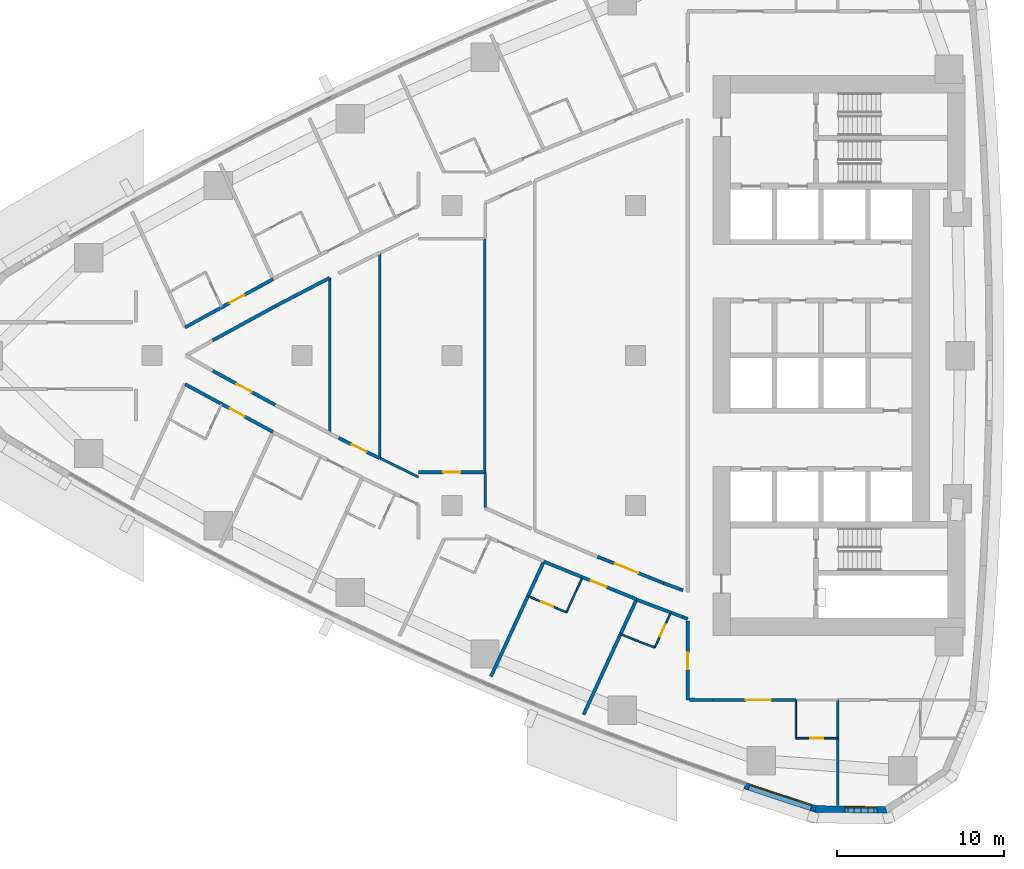
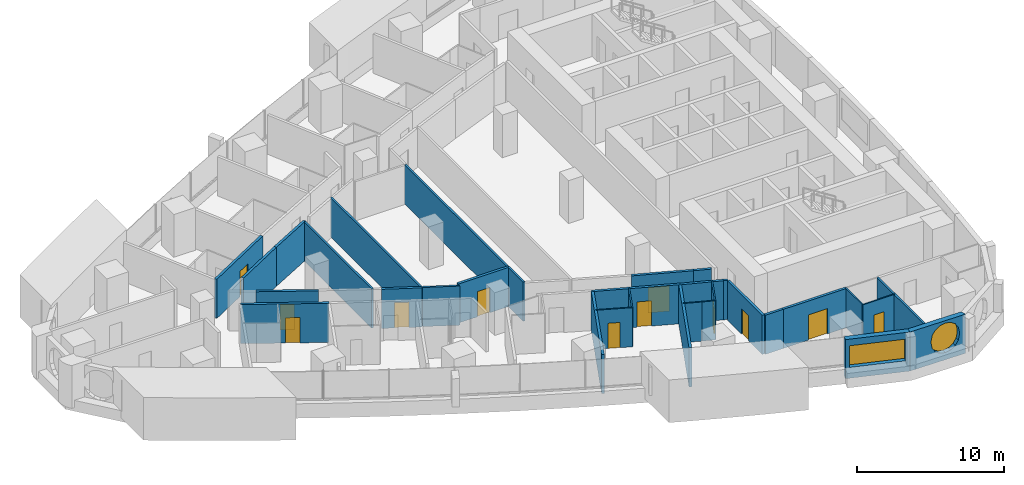
# One storey, part 9 of 17: 32 walls, 12 doors, 2 windows, 14 openings.
"""IFC4 building model written with IfcOpenShell, lengths in metres."""

from ifc_helpers import new_model, si_unit, direction, frame, frame_2d, origin, place, context, subcontext, project, spatial, polyline, rectangle, outline, extrude, material, layer, layer_set, type_object, element, fill, save


model = new_model("IFC4")

# Units and contexts
model_context = context("Model", 3, precision=1e-05, world=origin(), true_north=direction((0.0, 1.0)))
body_context = subcontext(model_context, "Body", "Model", "MODEL_VIEW")
ifc_project = project(units=[si_unit("LENGTHUNIT", "METRE"), si_unit("AREAUNIT", "SQUARE_METRE"), si_unit("VOLUMEUNIT", "CUBIC_METRE"), si_unit("PLANEANGLEUNIT", "RADIAN"), si_unit("MASSUNIT", "GRAM", prefix="KILO")], contexts=[model_context])

# Site, building, storey
site_placement = place(None, origin())
site = spatial("IfcSite", under=ifc_project, at=site_placement, CompositionType="ELEMENT")
building_placement = place(site_placement, origin())
building = spatial("IfcBuilding", under=site, at=building_placement, Name="Ostrand Prow Hotel Tower", CompositionType="ELEMENT")
storey_placement = place(building_placement, frame((0.0, 0.0, 109.75)))
storey = spatial("IfcBuildingStorey", under=building, at=storey_placement, Name="L26", CompositionType="ELEMENT", Elevation=109.75)

# Wall
ifc_material_1 = material(Name="Plasterboard partition")
ifc_layer_1 = layer(ifc_material_1, 0.10009765625)
ifc_layer_set_1 = layer_set([ifc_layer_1], Name="Plasterboard partition")
wall_type_1 = type_object("IfcWallType", Name="Partition 100 bathroom wall", PredefinedType="PARTITIONING", material=ifc_layer_set_1)
wall_1_placement = place(storey_placement, frame((54.630615234375, -22.949951171875, 0.0), z_axis=(0.0, 0.0, 1.0), x_axis=(0.0, 1.0, 0.0)))
element("IfcWall", 1, at=wall_1_placement, inside=storey, type_object=wall_type_1, Name="BATHROOM WALL", PredefinedType="PARTITIONING", context=body_context, shape_type="SweptSolid", body=[
    extrude(rectangle(XDim=2.300048828125, YDim=0.10009765625, at=frame_2d((1.14990234375, 0.0))), origin(), (0.0, 0.0, 1.0), 3.25),
])

# Wall, opening, door
wall_2_placement = place(storey_placement, frame((57.130615234375, -22.949951171875, 0.0), z_axis=(0.0, 0.0, 1.0), x_axis=(-1.0, 0.0, 0.0)))
wall_2 = element("IfcWall", 2, at=wall_2_placement, inside=storey, type_object=wall_type_1, Name="BATHROOM WALL", PredefinedType="PARTITIONING", context=body_context, shape_type="SweptSolid", body=[
    extrude(rectangle(XDim=2.5, YDim=0.10009765625, at=frame_2d((1.25, 0.0))), origin(), (0.0, 0.0, 1.0), 3.25),
])
opening_1_placement = place(wall_2_placement, frame((0.85009765625, 0.0, 0.0)))
opening_1 = element("IfcOpeningElement", 3, at=opening_1_placement, cuts=wall_2, Name="Opening D2", PredefinedType="OPENING", context=body_context, shape_type="SweptSolid", body=[
    extrude(rectangle(XDim=0.800048828125, YDim=2.10009765625, at=frame_2d((0.39990234375, 1.050048828125))), frame((0.0, 0.06005859375, 0.0), z_axis=(0.0, -1.0, 0.0), x_axis=(1.0, 0.0, 0.0)), (0.0, 0.0, 1.0), 0.1201171875),
])
ifc_material_2 = material(Name="Timber door leaf", Category="wood")
door_type_1 = type_object("IfcDoorType", Name="Bathroom door 800", OperationType="SINGLE_SWING_LEFT", PredefinedType="DOOR", material=ifc_material_2)
door_1_placement = place(opening_1_placement, origin())
door_1 = element("IfcDoor", 4, at=door_1_placement, inside=storey, type_object=door_type_1, Name="DOOR", OperationType="SINGLE_SWING_LEFT", OverallHeight=2.10009765625, OverallWidth=0.800048828125, PredefinedType="DOOR", context=body_context, shape_type="SweptSolid", body=[
    extrude(rectangle(XDim=0.800048828125, YDim=2.10009765625, at=frame_2d((0.39990234375, 1.050048828125))), frame((0.0, 0.02490234375, 0.0), z_axis=(0.0, -1.0, 0.0), x_axis=(1.0, 0.0, 0.0)), (0.0, 0.0, 1.0), 0.050048828125),
])
fill(opening_1, door_1)

# Wall
wall_3_placement = place(storey_placement, frame((41.816162109375, -13.32958984375, 0.0), z_axis=(0.0, 0.0, 1.0), x_axis=(-0.417433204355, -0.908707609686, 0.0)))
element("IfcWall", 5, at=wall_3_placement, inside=storey, type_object=wall_type_1, Name="BATHROOM WALL", PredefinedType="PARTITIONING", context=body_context, shape_type="SweptSolid", body=[
    extrude(rectangle(XDim=2.278076171875, YDim=0.10009765625, at=frame_2d((1.13916015625, 0.0))), origin(), (0.0, 0.0, 1.0), 3.25),
])

# Wall, opening, door
wall_4_placement = place(storey_placement, frame((40.865234375, -15.399658203125, 0.0), z_axis=(0.0, 0.0, 1.0), x_axis=(-0.921042675983, 0.38946166566, 0.0)))
wall_4 = element("IfcWall", 6, at=wall_4_placement, inside=storey, type_object=wall_type_1, Name="BATHROOM WALL", PredefinedType="PARTITIONING", context=body_context, shape_type="SweptSolid", body=[
    extrude(rectangle(XDim=2.501220703125, YDim=0.10009765625, at=frame_2d((1.25048828125, 0.0))), origin(), (0.0, 0.0, 1.0), 3.25),
])
opening_2_placement = place(wall_4_placement, frame((0.85009765625, 0.0, 0.0)))
opening_2 = element("IfcOpeningElement", 7, at=opening_2_placement, cuts=wall_4, Name="Opening D2", PredefinedType="OPENING", context=body_context, shape_type="SweptSolid", body=[
    extrude(rectangle(XDim=0.800048828125, YDim=2.10009765625, at=frame_2d((0.39990234375, 1.050048828125))), frame((0.0, 0.06005859375, 0.0), z_axis=(0.0, -1.0, 0.0), x_axis=(1.0, 0.0, 0.0)), (0.0, 0.0, 1.0), 0.1201171875),
])
door_2_placement = place(opening_2_placement, origin())
door_2 = element("IfcDoor", 8, at=door_2_placement, inside=storey, type_object=door_type_1, Name="DOOR", OperationType="SINGLE_SWING_LEFT", OverallHeight=2.10009765625, OverallWidth=0.800048828125, PredefinedType="DOOR", context=body_context, shape_type="SweptSolid", body=[
    extrude(rectangle(XDim=0.800048828125, YDim=2.10009765625, at=frame_2d((0.39990234375, 1.050048828125))), frame((0.0, 0.02490234375, 0.0), z_axis=(0.0, -1.0, 0.0), x_axis=(1.0, 0.0, 0.0)), (0.0, 0.0, 1.0), 0.050048828125),
])
fill(opening_2, door_2)

wall_5_placement = place(storey_placement, frame((47.1220703125, -15.434326171875, 0.0), z_axis=(0.0, 0.0, 1.0), x_axis=(-0.417409478396, -0.90871850831, 0.0)))
wall_5 = element("IfcWall", 9, at=wall_5_placement, inside=storey, type_object=wall_type_1, Name="BATHROOM WALL", PredefinedType="PARTITIONING", context=body_context, shape_type="SweptSolid", body=[
    extrude(rectangle(XDim=2.282958984375, YDim=0.10009765625, at=frame_2d((1.1416015625, 0.0))), origin(), (0.0, 0.0, 1.0), 3.25),
])
opening_3_placement = place(wall_5_placement, frame((0.75, 0.0, 0.0)))
opening_3 = element("IfcOpeningElement", 10, at=opening_3_placement, cuts=wall_5, Name="Opening D2", PredefinedType="OPENING", context=body_context, shape_type="SweptSolid", body=[
    extrude(rectangle(XDim=0.800048828125, YDim=2.10009765625, at=frame_2d((0.39990234375, 1.050048828125))), frame((0.0, 0.06005859375, 0.0), z_axis=(0.0, -1.0, 0.0), x_axis=(1.0, 0.0, 0.0)), (0.0, 0.0, 1.0), 0.1201171875),
])
door_3_placement = place(opening_3_placement, origin())
door_3 = element("IfcDoor", 11, at=door_3_placement, inside=storey, type_object=door_type_1, Name="DOOR", OperationType="SINGLE_SWING_LEFT", OverallHeight=2.10009765625, OverallWidth=0.800048828125, PredefinedType="DOOR", context=body_context, shape_type="SweptSolid", body=[
    extrude(rectangle(XDim=0.800048828125, YDim=2.10009765625, at=frame_2d((0.39990234375, 1.050048828125))), frame((0.0, 0.02490234375, 0.0), z_axis=(0.0, -1.0, 0.0), x_axis=(1.0, 0.0, 0.0)), (0.0, 0.0, 1.0), 0.050048828125),
])
fill(opening_3, door_3)

# Walls
wall_6_placement = place(storey_placement, frame((46.1689453125, -17.5087890625, 0.0), z_axis=(0.0, 0.0, 1.0), x_axis=(-0.935885332459, 0.352304760808, 0.0)))
element("IfcWall", 12, at=wall_6_placement, inside=storey, type_object=wall_type_1, Name="BATHROOM WALL", PredefinedType="PARTITIONING", context=body_context, shape_type="SweptSolid", body=[
    extrude(rectangle(XDim=0.90576171875, YDim=0.10009765625, at=frame_2d((0.452880859375, 0.0))), origin(), (0.0, 0.0, 1.0), 3.25),
])
wall_7_placement = place(storey_placement, frame((45.3212890625, -17.189697265625, 0.0), z_axis=(0.0, 0.0, 1.0), x_axis=(-0.928593389657, 0.371098796393, 0.0)))
element("IfcWall", 13, at=wall_7_placement, inside=storey, type_object=wall_type_1, Name="BATHROOM WALL", PredefinedType="PARTITIONING", context=body_context, shape_type="SweptSolid", body=[
    extrude(rectangle(XDim=1.298095703125, YDim=0.10009765625, at=frame_2d((0.64892578125, 0.0))), origin(), (0.0, 0.0, 1.0), 3.25),
])
ifc_material_3 = material(Name="Plasterboard partition")
ifc_layer_2 = layer(ifc_material_3, 0.14990234375)
ifc_layer_set_2 = layer_set([ifc_layer_2], Name="Plasterboard partition")
wall_type_2 = type_object("IfcWallType", Name="Partition 150 room partition", PredefinedType="PARTITIONING", material=ifc_layer_set_2)
wall_8_placement = place(storey_placement, frame((57.130615234375, -26.97900390625, 0.0), z_axis=(0.0, 0.0, 1.0), x_axis=(0.0, 1.0, 0.0)))
element("IfcWall", 14, at=wall_8_placement, inside=storey, type_object=wall_type_2, Name="ROOM PARTITION", PredefinedType="PARTITIONING", context=body_context, shape_type="SweptSolid", body=[
    extrude(rectangle(XDim=6.3291015625, YDim=0.14990234375, at=frame_2d((3.16455078125, 0.0))), origin(), (0.0, 0.0, 1.0), 3.25),
])
wall_9_placement = place(storey_placement, frame((26.66650390625, -4.659912109375, 0.0), z_axis=(0.0, 0.0, 1.0), x_axis=(0.0, 1.0, 0.0)))
element("IfcWall", 15, at=wall_9_placement, inside=storey, type_object=wall_type_2, Name="ROOM PARTITION", PredefinedType="PARTITIONING", context=body_context, shape_type="SweptSolid", body=[
    extrude(rectangle(XDim=9.31982421875, YDim=0.14990234375, at=frame_2d((4.659912109375, 0.0))), origin(), (0.0, 0.0, 1.0), 3.25),
])
wall_10_placement = place(storey_placement, frame((29.66650390625, -6.160400390625, 0.0), z_axis=(0.0, 0.0, 1.0), x_axis=(0.0, 1.0, 0.0)))
element("IfcWall", 16, at=wall_10_placement, inside=storey, type_object=wall_type_2, Name="ROOM PARTITION", PredefinedType="PARTITIONING", context=body_context, shape_type="SweptSolid", body=[
    extrude(rectangle(XDim=12.32080078125, YDim=0.14990234375, at=frame_2d((6.160400390625, 0.0))), origin(), (0.0, 0.0, 1.0), 3.25),
])
wall_11_placement = place(storey_placement, frame((35.974609375, -7.0, 0.0), z_axis=(0.0, 0.0, 1.0), x_axis=(0.0, 1.0, 0.0)))
element("IfcWall", 17, at=wall_11_placement, inside=storey, type_object=wall_type_2, Name="ROOM PARTITION", PredefinedType="PARTITIONING", context=body_context, shape_type="SweptSolid", body=[
    extrude(rectangle(XDim=14.0, YDim=0.14990234375, at=frame_2d((7.0, 0.0))), origin(), (0.0, 0.0, 1.0), 3.25),
])
wall_12_placement = place(storey_placement, frame((31.9951171875, -7.284912109375, 0.0), z_axis=(0.0, 0.0, 1.0), x_axis=(-0.89773510237, 0.440535680702, 0.0)))
element("IfcWall", 18, at=wall_12_placement, inside=storey, type_object=wall_type_2, Name="ROOM PARTITION", PredefinedType="PARTITIONING", context=body_context, shape_type="SweptSolid", body=[
    extrude(rectangle(XDim=2.54931640625, YDim=0.14990234375, at=frame_2d((1.274658203125, 0.0))), origin(), (0.0, 0.0, 1.0), 3.25),
])
wall_13_placement = place(storey_placement, frame((36.0048828125, -9.110107421875, 0.0), z_axis=(0.0, 0.0, 1.0), x_axis=(0.0, 1.0, 0.0)))
element("IfcWall", 19, at=wall_13_placement, inside=storey, type_object=wall_type_2, Name="ROOM PARTITION", PredefinedType="PARTITIONING", context=body_context, shape_type="SweptSolid", body=[
    extrude(rectangle(XDim=2.083984375, YDim=0.14990234375, at=frame_2d((1.0419921875, 0.0))), origin(), (0.0, 0.0, 1.0), 3.25),
])

# Wall, opening, door
ifc_material_4 = material(Name="Plasterboard partition")
ifc_layer_3 = layer(ifc_material_4, 0.199951171875)
ifc_layer_set_3 = layer_set([ifc_layer_3], Name="Plasterboard partition")
wall_type_3 = type_object("IfcWallType", Name="Partition 200 corridor wall", PredefinedType="PARTITIONING", material=ifc_layer_set_3)
wall_14_placement = place(storey_placement, frame((18.0, 1.691650390625, 0.0), z_axis=(0.0, 0.0, 1.0), x_axis=(0.876809096721, 0.480838650597, 0.0)))
wall_14 = element("IfcWall", 20, at=wall_14_placement, inside=storey, type_object=wall_type_3, Name="CORRIDOR WALL", PredefinedType="PARTITIONING", context=body_context, shape_type="SweptSolid", body=[
    extrude(rectangle(XDim=6.01513671875, YDim=0.199951171875, at=frame_2d((3.007568359375, 0.0))), origin(), (0.0, 0.0, 1.0), 3.25),
])
opening_4_placement = place(wall_14_placement, frame((3.050048828125, 0.0, 0.0)))
opening_4 = element("IfcOpeningElement", 21, at=opening_4_placement, cuts=wall_14, Name="Opening D1R", PredefinedType="OPENING", context=body_context, shape_type="SweptSolid", body=[
    extrude(rectangle(XDim=1.0, YDim=2.10009765625, at=frame_2d((0.5, 1.050048828125))), frame((0.0, 0.10986328125, 0.0), z_axis=(0.0, -1.0, 0.0), x_axis=(1.0, 0.0, 0.0)), (0.0, 0.0, 1.0), 0.219970703125),
])
ifc_material_5 = material(Name="Timber door leaf", Category="wood")
door_type_2 = type_object("IfcDoorType", Name="Guest room door 1000 right", OperationType="SINGLE_SWING_RIGHT", PredefinedType="DOOR", material=ifc_material_5)
door_4_placement = place(opening_4_placement, origin())
door_4 = element("IfcDoor", 22, at=door_4_placement, inside=storey, type_object=door_type_2, Name="DOOR", OperationType="SINGLE_SWING_RIGHT", OverallHeight=2.10009765625, OverallWidth=1.0, PredefinedType="DOOR", context=body_context, shape_type="SweptSolid", body=[
    extrude(rectangle(XDim=1.0, YDim=2.10009765625, at=frame_2d((0.5, 1.050048828125))), frame((0.0, 0.02490234375, 0.0), z_axis=(0.0, -1.0, 0.0), x_axis=(1.0, 0.0, 0.0)), (0.0, 0.0, 1.0), 0.050048828125),
])
fill(opening_4, door_4)

wall_15_placement = place(storey_placement, frame((18.0, -1.714599609375, 0.0), z_axis=(0.0, 0.0, 1.0), x_axis=(0.878415628048, -0.477897462225, 0.0)))
wall_15 = element("IfcWall", 23, at=wall_15_placement, inside=storey, type_object=wall_type_3, Name="CORRIDOR WALL", PredefinedType="PARTITIONING", context=body_context, shape_type="SweptSolid", body=[
    extrude(rectangle(XDim=6.004150390625, YDim=0.199951171875, at=frame_2d((3.001953125, 0.0))), origin(), (0.0, 0.0, 1.0), 3.25),
])
opening_5_placement = place(wall_15_placement, frame((3.050048828125, 0.0, 0.0)))
opening_5 = element("IfcOpeningElement", 24, at=opening_5_placement, cuts=wall_15, Name="Opening D1", PredefinedType="OPENING", context=body_context, shape_type="SweptSolid", body=[
    extrude(rectangle(XDim=1.0, YDim=2.10009765625, at=frame_2d((0.5, 1.050048828125))), frame((0.0, 0.10986328125, 0.0), z_axis=(0.0, -1.0, 0.0), x_axis=(1.0, 0.0, 0.0)), (0.0, 0.0, 1.0), 0.219970703125),
])
ifc_material_6 = material(Name="Timber door leaf", Category="wood")
door_type_3 = type_object("IfcDoorType", Name="Guest room door 1000", OperationType="SINGLE_SWING_LEFT", PredefinedType="DOOR", material=ifc_material_6)
door_5_placement = place(opening_5_placement, origin())
door_5 = element("IfcDoor", 25, at=door_5_placement, inside=storey, type_object=door_type_3, Name="DOOR", OperationType="SINGLE_SWING_LEFT", OverallHeight=2.10009765625, OverallWidth=1.0, PredefinedType="DOOR", context=body_context, shape_type="SweptSolid", body=[
    extrude(rectangle(XDim=1.0, YDim=2.10009765625, at=frame_2d((0.5, 1.050048828125))), frame((0.0, 0.02490234375, 0.0), z_axis=(0.0, -1.0, 0.0), x_axis=(1.0, 0.0, 0.0)), (0.0, 0.0, 1.0), 0.050048828125),
])
fill(opening_5, door_5)

wall_16_placement = place(storey_placement, frame((39.513916015625, -12.352783203125, 0.0), z_axis=(0.0, 0.0, 1.0), x_axis=(0.926327862679, -0.376718317613, 0.0)))
wall_16 = element("IfcWall", 26, at=wall_16_placement, inside=storey, type_object=wall_type_3, Name="CORRIDOR WALL", PredefinedType="PARTITIONING", context=body_context, shape_type="SweptSolid", body=[
    extrude(rectangle(XDim=6.005615234375, YDim=0.199951171875, at=frame_2d((3.0029296875, 0.0))), origin(), (0.0, 0.0, 1.0), 3.25),
])
opening_6_placement = place(wall_16_placement, frame((3.050048828125, 0.0, 0.0)))
opening_6 = element("IfcOpeningElement", 27, at=opening_6_placement, cuts=wall_16, Name="Opening D1", PredefinedType="OPENING", context=body_context, shape_type="SweptSolid", body=[
    extrude(rectangle(XDim=1.0, YDim=2.10009765625, at=frame_2d((0.5, 1.050048828125))), frame((0.0, 0.10986328125, 0.0), z_axis=(0.0, -1.0, 0.0), x_axis=(1.0, 0.0, 0.0)), (0.0, 0.0, 1.0), 0.219970703125),
])
door_6_placement = place(opening_6_placement, origin())
door_6 = element("IfcDoor", 28, at=door_6_placement, inside=storey, type_object=door_type_3, Name="DOOR", OperationType="SINGLE_SWING_LEFT", OverallHeight=2.10009765625, OverallWidth=1.0, PredefinedType="DOOR", context=body_context, shape_type="SweptSolid", body=[
    extrude(rectangle(XDim=1.0, YDim=2.10009765625, at=frame_2d((0.5, 1.050048828125))), frame((0.0, 0.02490234375, 0.0), z_axis=(0.0, -1.0, 0.0), x_axis=(1.0, 0.0, 0.0)), (0.0, 0.0, 1.0), 0.050048828125),
])
fill(opening_6, door_6)

wall_17_placement = place(storey_placement, frame((23.40673828125, -2.9619140625, 0.0), z_axis=(0.0, 0.0, 1.0), x_axis=(-0.877465075585, 0.479640533242, 0.0)))
wall_17 = element("IfcWall", 29, at=wall_17_placement, inside=storey, type_object=wall_type_3, Name="CORRIDOR WALL", PredefinedType="PARTITIONING", context=body_context, shape_type="SweptSolid", body=[
    extrude(rectangle(XDim=4.273193359375, YDim=0.199951171875, at=frame_2d((2.13671875, 0.0))), origin(), (0.0, 0.0, 1.0), 3.25),
])
opening_7_placement = place(wall_17_placement, frame((1.636474609375, 0.0, 0.0)))
opening_7 = element("IfcOpeningElement", 30, at=opening_7_placement, cuts=wall_17, Name="Opening D1", PredefinedType="OPENING", context=body_context, shape_type="SweptSolid", body=[
    extrude(rectangle(XDim=1.0, YDim=2.10009765625, at=frame_2d((0.5, 1.050048828125))), frame((0.0, 0.10986328125, 0.0), z_axis=(0.0, -1.0, 0.0), x_axis=(1.0, 0.0, 0.0)), (0.0, 0.0, 1.0), 0.219970703125),
])
door_7_placement = place(opening_7_placement, origin())
door_7 = element("IfcDoor", 31, at=door_7_placement, inside=storey, type_object=door_type_3, Name="DOOR", OperationType="SINGLE_SWING_LEFT", OverallHeight=2.10009765625, OverallWidth=1.0, PredefinedType="DOOR", context=body_context, shape_type="SweptSolid", body=[
    extrude(rectangle(XDim=1.0, YDim=2.10009765625, at=frame_2d((0.5, 1.050048828125))), frame((0.0, 0.02490234375, 0.0), z_axis=(0.0, -1.0, 0.0), x_axis=(1.0, 0.0, 0.0)), (0.0, 0.0, 1.0), 0.050048828125),
])
fill(opening_7, door_7)

# Walls
wall_18_placement = place(storey_placement, frame((19.6572265625, 0.912353515625, 0.0), z_axis=(0.0, 0.0, 1.0), x_axis=(0.877465075585, 0.479640533242, 0.0)))
element("IfcWall", 32, at=wall_18_placement, inside=storey, type_object=wall_type_3, Name="CORRIDOR WALL", PredefinedType="PARTITIONING", context=body_context, shape_type="SweptSolid", body=[
    extrude(rectangle(XDim=4.273193359375, YDim=0.199951171875, at=frame_2d((2.13671875, 0.0))), origin(), (0.0, 0.0, 1.0), 3.25),
])
wall_19_placement = place(storey_placement, frame((23.40673828125, 2.9619140625, 0.0), z_axis=(0.0, 0.0, 1.0), x_axis=(0.886891405098, 0.46197796004, 0.0)))
element("IfcWall", 33, at=wall_19_placement, inside=storey, type_object=wall_type_3, Name="CORRIDOR WALL", PredefinedType="PARTITIONING", context=body_context, shape_type="SweptSolid", body=[
    extrude(rectangle(XDim=3.675537109375, YDim=0.199951171875, at=frame_2d((1.837890625, 0.0))), origin(), (0.0, 0.0, 1.0), 3.25),
])

# Wall, opening, door
wall_20_placement = place(storey_placement, frame((29.66650390625, -6.160400390625, 0.0), z_axis=(0.0, 0.0, 1.0), x_axis=(-0.895945057464, 0.444164895062, 0.0)))
wall_20 = element("IfcWall", 34, at=wall_20_placement, inside=storey, type_object=wall_type_3, Name="CORRIDOR WALL", PredefinedType="PARTITIONING", context=body_context, shape_type="SweptSolid", body=[
    extrude(rectangle(XDim=2.757080078125, YDim=0.199951171875, at=frame_2d((1.37841796875, 0.0))), origin(), (0.0, 0.0, 1.0), 3.25),
])
opening_8_placement = place(wall_20_placement, frame((0.87841796875, 0.0, 0.0)))
opening_8 = element("IfcOpeningElement", 35, at=opening_8_placement, cuts=wall_20, Name="Opening D1R", PredefinedType="OPENING", context=body_context, shape_type="SweptSolid", body=[
    extrude(rectangle(XDim=1.0, YDim=2.10009765625, at=frame_2d((0.5, 1.050048828125))), frame((0.0, 0.10986328125, 0.0), z_axis=(0.0, -1.0, 0.0), x_axis=(1.0, 0.0, 0.0)), (0.0, 0.0, 1.0), 0.219970703125),
])
door_8_placement = place(opening_8_placement, origin())
door_8 = element("IfcDoor", 36, at=door_8_placement, inside=storey, type_object=door_type_2, Name="DOOR", OperationType="SINGLE_SWING_RIGHT", OverallHeight=2.10009765625, OverallWidth=1.0, PredefinedType="DOOR", context=body_context, shape_type="SweptSolid", body=[
    extrude(rectangle(XDim=1.0, YDim=2.10009765625, at=frame_2d((0.5, 1.050048828125))), frame((0.0, 0.02490234375, 0.0), z_axis=(0.0, -1.0, 0.0), x_axis=(1.0, 0.0, 0.0)), (0.0, 0.0, 1.0), 0.050048828125),
])
fill(opening_8, door_8)

wall_21_placement = place(storey_placement, frame((46.69580078125, -13.646728515625, 0.0), z_axis=(0.0, 0.0, 1.0), x_axis=(-0.928638161177, 0.370986745864, 0.0)))
wall_21 = element("IfcWall", 37, at=wall_21_placement, inside=storey, type_object=wall_type_3, Name="CORRIDOR WALL", PredefinedType="PARTITIONING", context=body_context, shape_type="SweptSolid", body=[
    extrude(rectangle(XDim=4.27294921875, YDim=0.199951171875, at=frame_2d((2.136474609375, 0.0))), origin(), (0.0, 0.0, 1.0), 3.25),
])
opening_9_placement = place(wall_21_placement, frame((1.636474609375, 0.0, 0.0)))
opening_9 = element("IfcOpeningElement", 38, at=opening_9_placement, cuts=wall_21, Name="Opening D15", PredefinedType="OPENING", context=body_context, shape_type="SweptSolid", body=[
    extrude(rectangle(XDim=1.5, YDim=2.10009765625, at=frame_2d((0.75, 1.050048828125))), frame((0.0, 0.10986328125, 0.0), z_axis=(0.0, -1.0, 0.0), x_axis=(1.0, 0.0, 0.0)), (0.0, 0.0, 1.0), 0.219970703125),
])
ifc_material_7 = material(Name="Timber door leaf", Category="wood")
door_type_4 = type_object("IfcDoorType", Name="Double door 1500", OperationType="DOUBLE_DOOR_SINGLE_SWING", PredefinedType="DOOR", material=ifc_material_7)
door_9_placement = place(opening_9_placement, origin())
door_9 = element("IfcDoor", 39, at=door_9_placement, inside=storey, type_object=door_type_4, Name="DOOR", OperationType="DOUBLE_DOOR_SINGLE_SWING", OverallHeight=2.10009765625, OverallWidth=1.5, PredefinedType="DOOR", context=body_context, shape_type="SweptSolid", body=[
    extrude(rectangle(XDim=1.5, YDim=2.10009765625, at=frame_2d((0.75, 1.050048828125))), frame((0.0, 0.02490234375, 0.0), z_axis=(0.0, -1.0, 0.0), x_axis=(1.0, 0.0, 0.0)), (0.0, 0.0, 1.0), 0.050048828125),
])
fill(opening_9, door_9)

wall_22_placement = place(storey_placement, frame((49.64990234375, -20.655029296875, 0.0), z_axis=(0.0, 0.0, 1.0), x_axis=(1.0, 0.0, 0.0)))
wall_22 = element("IfcWall", 40, at=wall_22_placement, inside=storey, type_object=wall_type_3, Name="CORRIDOR WALL", PredefinedType="PARTITIONING", context=body_context, shape_type="SweptSolid", body=[
    extrude(rectangle(XDim=4.9755859375, YDim=0.199951171875, at=frame_2d((2.48779296875, 0.0))), origin(), (0.0, 0.0, 1.0), 3.25),
])
opening_10_placement = place(wall_22_placement, frame((1.98779296875, 0.0, 0.0)))
opening_10 = element("IfcOpeningElement", 41, at=opening_10_placement, cuts=wall_22, Name="Opening D15", PredefinedType="OPENING", context=body_context, shape_type="SweptSolid", body=[
    extrude(rectangle(XDim=1.5, YDim=2.10009765625, at=frame_2d((0.75, 1.050048828125))), frame((0.0, 0.10986328125, 0.0), z_axis=(0.0, -1.0, 0.0), x_axis=(1.0, 0.0, 0.0)), (0.0, 0.0, 1.0), 0.219970703125),
])
door_10_placement = place(opening_10_placement, origin())
door_10 = element("IfcDoor", 42, at=door_10_placement, inside=storey, type_object=door_type_4, Name="DOOR", OperationType="DOUBLE_DOOR_SINGLE_SWING", OverallHeight=2.10009765625, OverallWidth=1.5, PredefinedType="DOOR", context=body_context, shape_type="SweptSolid", body=[
    extrude(rectangle(XDim=1.5, YDim=2.10009765625, at=frame_2d((0.75, 1.050048828125))), frame((0.0, 0.02490234375, 0.0), z_axis=(0.0, -1.0, 0.0), x_axis=(1.0, 0.0, 0.0)), (0.0, 0.0, 1.0), 0.050048828125),
])
fill(opening_10, door_10)

wall_23_placement = place(storey_placement, frame((35.974609375, -6.9951171875, 0.0), z_axis=(0.0, 0.0, 1.0), x_axis=(-1.0, 0.0, 0.0)))
wall_23 = element("IfcWall", 43, at=wall_23_placement, inside=storey, type_object=wall_type_3, Name="CORRIDOR WALL", PredefinedType="PARTITIONING", context=body_context, shape_type="SweptSolid", body=[
    extrude(rectangle(XDim=3.97509765625, YDim=0.199951171875, at=frame_2d((1.987548828125, 0.0))), origin(), (0.0, 0.0, 1.0), 3.25),
])
opening_11_placement = place(wall_23_placement, frame((1.487548828125, 0.0, 0.0)))
opening_11 = element("IfcOpeningElement", 44, at=opening_11_placement, cuts=wall_23, Name="Opening D1", PredefinedType="OPENING", context=body_context, shape_type="SweptSolid", body=[
    extrude(rectangle(XDim=1.0, YDim=2.10009765625, at=frame_2d((0.5, 1.050048828125))), frame((0.0, 0.10986328125, 0.0), z_axis=(0.0, -1.0, 0.0), x_axis=(1.0, 0.0, 0.0)), (0.0, 0.0, 1.0), 0.219970703125),
])
door_11_placement = place(opening_11_placement, origin())
door_11 = element("IfcDoor", 45, at=door_11_placement, inside=storey, type_object=door_type_3, Name="DOOR", OperationType="SINGLE_SWING_LEFT", OverallHeight=2.10009765625, OverallWidth=1.0, PredefinedType="DOOR", context=body_context, shape_type="SweptSolid", body=[
    extrude(rectangle(XDim=1.0, YDim=2.10009765625, at=frame_2d((0.5, 1.050048828125))), frame((0.0, 0.02490234375, 0.0), z_axis=(0.0, -1.0, 0.0), x_axis=(1.0, 0.0, 0.0)), (0.0, 0.0, 1.0), 0.050048828125),
])
fill(opening_11, door_11)

# Walls
wall_24_placement = place(storey_placement, frame((45.06884765625, -14.633544921875, 0.0), z_axis=(0.0, 0.0, 1.0), x_axis=(0.93564003724, -0.352955692282, 0.0)))
element("IfcWall", 46, at=wall_24_placement, inside=storey, type_object=wall_type_3, Name="CORRIDOR WALL", PredefinedType="PARTITIONING", context=body_context, shape_type="SweptSolid", body=[
    extrude(rectangle(XDim=2.977783203125, YDim=0.199951171875, at=frame_2d((1.48876953125, 0.0))), origin(), (0.0, 0.0, 1.0), 3.25),
])
wall_25_placement = place(storey_placement, frame((47.85498046875, -14.0830078125, 0.0), z_axis=(0.0, 0.0, 1.0), x_axis=(-0.935907269358, 0.352246480696, 0.0)))
element("IfcWall", 47, at=wall_25_placement, inside=storey, type_object=wall_type_3, Name="CORRIDOR WALL", PredefinedType="PARTITIONING", context=body_context, shape_type="SweptSolid", body=[
    extrude(rectangle(XDim=1.238525390625, YDim=0.199951171875, at=frame_2d((0.619140625, 0.0))), origin(), (0.0, 0.0, 1.0), 3.25),
])
wall_26_placement = place(storey_placement, frame((47.85498046875, -15.6845703125, 0.0), z_axis=(0.0, 0.0, 1.0), x_axis=(0.928638194287, -0.370986662983, 0.0)))
element("IfcWall", 48, at=wall_26_placement, inside=storey, type_object=wall_type_3, Name="CORRIDOR WALL", PredefinedType="PARTITIONING", context=body_context, shape_type="SweptSolid", body=[
    extrude(rectangle(XDim=0.3125, YDim=0.199951171875, at=frame_2d((0.15625, 0.0))), origin(), (0.0, 0.0, 1.0), 3.25),
])

# Wall, opening, door
wall_27_placement = place(storey_placement, frame((48.145263671875, -15.92041015625, 0.0), z_axis=(0.0, 0.0, 1.0), x_axis=(-5.1610239e-05, -0.999999998668, 0.0)))
wall_27 = element("IfcWall", 49, at=wall_27_placement, inside=storey, type_object=wall_type_3, Name="CORRIDOR WALL", PredefinedType="PARTITIONING", context=body_context, shape_type="SweptSolid", body=[
    extrude(rectangle(XDim=4.73046875, YDim=0.199951171875, at=frame_2d((2.365234375, 0.0))), origin(), (0.0, 0.0, 1.0), 3.25),
])
opening_12_placement = place(wall_27_placement, frame((1.89990234375, 0.0, 0.0)))
opening_12 = element("IfcOpeningElement", 50, at=opening_12_placement, cuts=wall_27, Name="Opening D1", PredefinedType="OPENING", context=body_context, shape_type="SweptSolid", body=[
    extrude(rectangle(XDim=1.0, YDim=2.10009765625, at=frame_2d((0.5, 1.050048828125))), frame((0.0, 0.10986328125, 0.0), z_axis=(0.0, -1.0, 0.0), x_axis=(1.0, 0.0, 0.0)), (0.0, 0.0, 1.0), 0.219970703125),
])
door_12_placement = place(opening_12_placement, origin())
door_12 = element("IfcDoor", 51, at=door_12_placement, inside=storey, type_object=door_type_3, Name="DOOR", OperationType="SINGLE_SWING_LEFT", OverallHeight=2.10009765625, OverallWidth=1.0, PredefinedType="DOOR", context=body_context, shape_type="SweptSolid", body=[
    extrude(rectangle(XDim=1.0, YDim=2.10009765625, at=frame_2d((0.5, 1.050048828125))), frame((0.0, 0.02490234375, 0.0), z_axis=(0.0, -1.0, 0.0), x_axis=(1.0, 0.0, 0.0)), (0.0, 0.0, 1.0), 0.050048828125),
])
fill(opening_12, door_12)

# Walls
wall_28_placement = place(storey_placement, frame((48.26513671875, -20.6513671875, 0.0), z_axis=(0.0, 0.0, 1.0), x_axis=(0.999996503144, -0.002644560569, 0.0)))
element("IfcWall", 52, at=wall_28_placement, inside=storey, type_object=wall_type_3, Name="CORRIDOR WALL", PredefinedType="PARTITIONING", context=body_context, shape_type="SweptSolid", body=[
    extrude(rectangle(XDim=1.384765625, YDim=0.199951171875, at=frame_2d((0.6923828125, 0.0))), origin(), (0.0, 0.0, 1.0), 3.25),
])
ifc_material_8 = material(Name="Plasterboard partition")
ifc_layer_4 = layer(ifc_material_8, 0.199951171875)
ifc_layer_set_4 = layer_set([ifc_layer_4], Name="Plasterboard partition")
wall_type_4 = type_object("IfcWallType", Name="Partition 200 key partition", PredefinedType="PARTITIONING", material=ifc_layer_set_4)
wall_29_placement = place(storey_placement, frame((36.34814453125, -19.243896484375, 0.0), z_axis=(0.0, 0.0, 1.0), x_axis=(0.417442847913, 0.908703179661, 0.0)))
element("IfcWall", 53, at=wall_29_placement, inside=storey, type_object=wall_type_4, Name="KEY PARTITION", PredefinedType="PARTITIONING", context=body_context, shape_type="SweptSolid", body=[
    extrude(rectangle(XDim=7.603515625, YDim=0.199951171875, at=frame_2d((3.8017578125, 0.0))), origin(), (0.0, 0.0, 1.0), 3.25),
])
wall_30_placement = place(storey_placement, frame((41.900634765625, -21.5302734375, 0.0), z_axis=(0.0, 0.0, 1.0), x_axis=(0.417427858403, 0.908710065438, 0.0)))
element("IfcWall", 54, at=wall_30_placement, inside=storey, type_object=wall_type_4, Name="KEY PARTITION", PredefinedType="PARTITIONING", context=body_context, shape_type="SweptSolid", body=[
    extrude(rectangle(XDim=7.609619140625, YDim=0.199951171875, at=frame_2d((3.8046875, 0.0))), origin(), (0.0, 0.0, 1.0), 3.25),
])

# Wall, opening, window
ifc_material_9 = material(Name="Precast concrete C40/50", Category="concrete")
ifc_layer_5 = layer(ifc_material_9, 0.39990234375)
ifc_layer_set_5 = layer_set([ifc_layer_5], Name="Precast concrete C40/50")
wall_type_5 = type_object("IfcWallType", Name="Stone-faced precast wall 400 mm", PredefinedType="NOTDEFINED", material=ifc_layer_set_5)
wall_31_placement = place(storey_placement, frame((51.56884765625, -25.786865234375, 0.0), z_axis=(0.0, 0.0, 1.0), x_axis=(0.94925004851, -0.314522408429, 0.0)))
wall_31 = element("IfcWall", 55, at=wall_31_placement, inside=storey, type_object=wall_type_5, Name="Stone-faced wall back 1", PredefinedType="NOTDEFINED", context=body_context, shape_type="SweptSolid", body=[
    extrude(outline(polyline([(0.0, -0.199951171875), (4.4990234375, -0.199951171875), (4.43701171875, 0.199951171875), (0.0, 0.199951171875), (0.0, -0.199951171875)])), origin(), (0.0, 0.0, 1.0), 3.25),
])
opening_13_placement = place(wall_31_placement, frame((0.283935546875, 0.0, 0.89990234375)))
opening_13 = element("IfcOpeningElement", 56, at=opening_13_placement, cuts=wall_31, Name="Opening WS3-39", PredefinedType="OPENING", context=body_context, shape_type="SweptSolid", body=[
    extrude(rectangle(XDim=3.89990234375, YDim=1.800048828125, at=frame_2d((1.949951171875, 0.89990234375))), frame((0.0, 0.2099609375, 0.0), z_axis=(0.0, -1.0, 0.0), x_axis=(1.0, 0.0, 0.0)), (0.0, 0.0, 1.0), 0.419921875),
])
ifc_material_10 = material(Name="Insulated glass in bronze frame", Category="glass")
window_type_1 = type_object("IfcWindowType", Name="Strip window 3900x1800", PartitioningType="SINGLE_PANEL", PredefinedType="WINDOW", material=ifc_material_10)
window_1_placement = place(opening_13_placement, origin())
window_1 = element("IfcWindow", 57, at=window_1_placement, inside=storey, type_object=window_type_1, Name="Window back 1.1", OverallHeight=1.800048828125, OverallWidth=3.89990234375, PartitioningType="SINGLE_PANEL", PredefinedType="WINDOW", context=body_context, shape_type="SweptSolid", body=[
    extrude(rectangle(XDim=3.89990234375, YDim=1.800048828125, at=frame_2d((1.949951171875, 0.89990234375))), frame((0.0, 0.169921875, 0.0), z_axis=(0.0, -1.0, 0.0), x_axis=(1.0, 0.0, 0.0)), (0.0, 0.0, 1.0), 0.06005859375),
])
fill(opening_13, window_1)

wall_32_placement = place(storey_placement, frame((55.81005859375, -27.192138671875, 0.0), z_axis=(0.0, 0.0, 1.0), x_axis=(0.999919718849, -0.012671063772, 0.0)))
wall_32 = element("IfcWall", 58, at=wall_32_placement, inside=storey, type_object=wall_type_5, Name="Stone-faced wall back 2", PredefinedType="NOTDEFINED", context=body_context, shape_type="SweptSolid", body=[
    extrude(outline(polyline([(-0.031005859375, -0.199951171875), (4.300048828125, -0.199951171875), (4.177490234375, 0.199951171875), (0.031005859375, 0.199951171875), (-0.031005859375, -0.199951171875)])), origin(), (0.0, 0.0, 1.0), 3.25),
])
opening_14_placement = place(wall_32_placement, frame((1.620849609375, 0.0, 0.60009765625)))
opening_14 = element("IfcOpeningElement", 59, at=opening_14_placement, cuts=wall_32, Name="Opening WP1", PredefinedType="OPENING", context=body_context, shape_type="SweptSolid", body=[
    extrude(outline(polyline([(0.0, 1.35009765625), (0.083740234375, 1.77099609375), (0.322265625, 2.127685546875), (0.678955078125, 2.3662109375), (1.10009765625, 2.449951171875), (1.52099609375, 2.3662109375), (1.877685546875, 2.127685546875), (2.1162109375, 1.77099609375), (2.199951171875, 1.35009765625), (2.199951171875, 1.10009765625), (2.1162109375, 0.678955078125), (1.877685546875, 0.322265625), (1.52099609375, 0.083740234375), (1.10009765625, 0.0), (0.678955078125, 0.083740234375), (0.322265625, 0.322265625), (0.083740234375, 0.678955078125), (0.0, 1.099853515625), (0.0, 1.35009765625)])), frame((0.0, 0.2099609375, 0.0), z_axis=(0.0, -1.0, 0.0), x_axis=(1.0, 0.0, 0.0)), (0.0, 0.0, 1.0), 0.419921875),
])
ifc_material_11 = material(Name="Insulated glass in bronze frame", Category="glass")
window_type_2 = type_object("IfcWindowType", Name="Round-ended prow window 2200x2450", PartitioningType="SINGLE_PANEL", PredefinedType="WINDOW", material=ifc_material_11)
window_2_placement = place(opening_14_placement, origin())
window_2 = element("IfcWindow", 60, at=window_2_placement, inside=storey, type_object=window_type_2, Name="Window back 2.1", OverallHeight=2.449951171875, OverallWidth=2.199951171875, PartitioningType="SINGLE_PANEL", PredefinedType="WINDOW", context=body_context, shape_type="SweptSolid", body=[
    extrude(outline(polyline([(0.0, 1.35009765625), (0.083740234375, 1.77099609375), (0.322265625, 2.127685546875), (0.678955078125, 2.3662109375), (1.10009765625, 2.449951171875), (1.52099609375, 2.3662109375), (1.877685546875, 2.127685546875), (2.1162109375, 1.77099609375), (2.199951171875, 1.35009765625), (2.199951171875, 1.10009765625), (2.1162109375, 0.678955078125), (1.877685546875, 0.322265625), (1.52099609375, 0.083740234375), (1.10009765625, 0.0), (0.678955078125, 0.083740234375), (0.322265625, 0.322265625), (0.083740234375, 0.678955078125), (0.0, 1.099853515625), (0.0, 1.35009765625)])), frame((0.0, 0.169921875, 0.0), z_axis=(0.0, -1.0, 0.0), x_axis=(1.0, 0.0, 0.0)), (0.0, 0.0, 1.0), 0.06005859375),
])
fill(opening_14, window_2)

save(model, "model.ifc")
